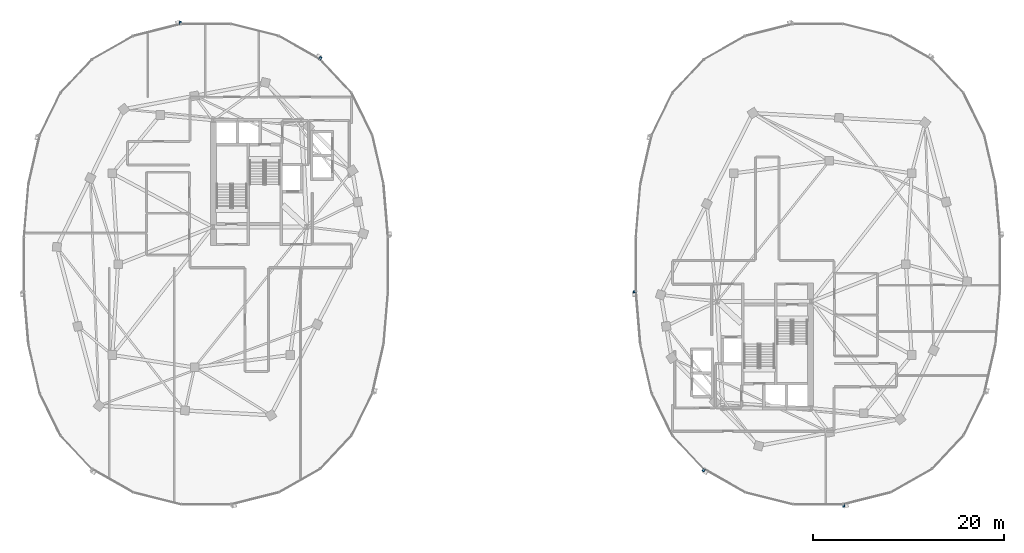
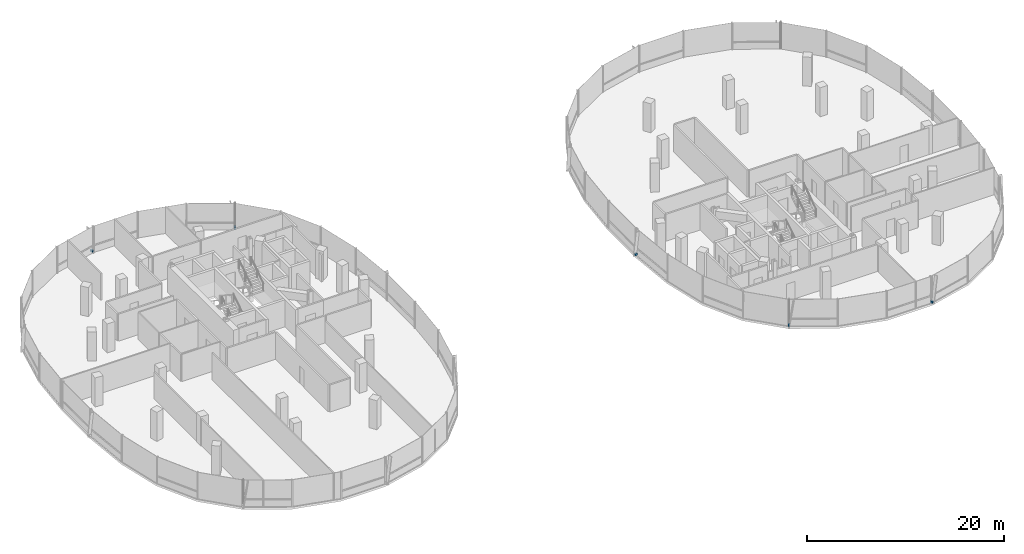
# One storey, part 19 of 25: 5 discrete accessories.
"""IFC4 building model written with IfcOpenShell, lengths in metres."""

from ifc_helpers import new_model, si_unit, direction, frame, origin, origin_2d, place, context, subcontext, project, spatial, rectangle, extrude, material, type_object, element, save


model = new_model("IFC4")

# Units and contexts
model_context = context("Model", 3, precision=1e-05, world=origin(), true_north=direction((0.0, 1.0)))
body_context = subcontext(model_context, "Body", "Model", "MODEL_VIEW")
ifc_project = project(units=[si_unit("LENGTHUNIT", "METRE"), si_unit("AREAUNIT", "SQUARE_METRE"), si_unit("VOLUMEUNIT", "CUBIC_METRE"), si_unit("PLANEANGLEUNIT", "RADIAN"), si_unit("MASSUNIT", "GRAM", prefix="KILO"), si_unit("THERMODYNAMICTEMPERATUREUNIT", "KELVIN"), si_unit("POWERUNIT", "WATT")], contexts=[model_context])

# Site, building, storey
site_placement = place(None, origin())
site = spatial("IfcSite", under=ifc_project, at=site_placement, CompositionType="ELEMENT")
building_placement = place(site_placement, origin())
building = spatial("IfcBuilding", under=site, at=building_placement, Name="Cundina Bronze Exchange", CompositionType="ELEMENT")
storey_placement = place(building_placement, frame((0.0, 0.0, 191.800048828125)))
storey = spatial("IfcBuildingStorey", under=building, at=storey_placement, Name="L50", CompositionType="ELEMENT", Elevation=191.800048828125)

# Discrete accessories
ifc_material = material(Name="Anodised Bronze Aluminium 6063-T6", Category="aluminium")
discrete_accessory_type = type_object("IfcDiscreteAccessoryType", Name="ACC-BRK-FIN", PredefinedType="BRACKET", material=ifc_material)
for number, where, z_axis, x_axis, name in (
    (1, (-20.038818359375, 21.539794921875, 0.10009765625), (0.0, 0.0, 1.0), (-0.869572506985, 0.493805280547, 0.0), "L50 Fin Support Bracket 5"),
    (2, (-34.678955078125, 25.23779296875, 0.10009765625), (0.0, 0.0, 1.0), (-0.969731542251, -0.244173577528, 0.0), "L50 Fin Support Bracket 1"),
    (3, (12.84521484375, -2.893798828125, 0.10009765625), (0.0, 0.0, 1.0), (0.083747411454, -0.996487015006, 0.0), "L50 Fin Support Bracket 1"),
    (4, (20.038818359375, -21.539794921875, 0.10009765625), (0.0, 0.0, 1.0), (0.869572506985, -0.493805280547, 0.0), "L50 Fin Support Bracket 5"),
    (5, (34.678955078125, -25.23779296875, 0.10009765625), (0.0, 0.0, 1.0), (0.969731542251, 0.244173577528, 0.0), "L50 Fin Support Bracket 1"),
):
    element("IfcDiscreteAccessory", number, at=place(storey_placement, frame(where, z_axis=z_axis, x_axis=x_axis)), inside=storey, type_object=discrete_accessory_type, Name=name, PredefinedType="BRACKET", context=body_context, shape_type="SweptSolid", body=[
        extrude(rectangle(XDim=0.219970703125, YDim=0.320068359375, at=origin_2d()), origin(), (0.0, 0.0, 1.0), 0.239990234375),
    ])

save(model, "model.ifc")
